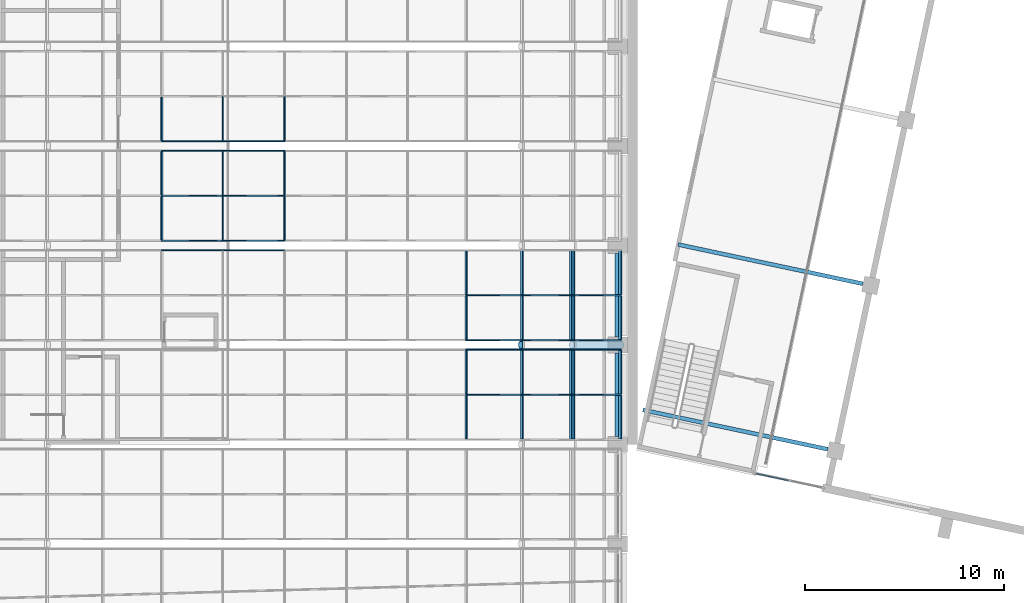
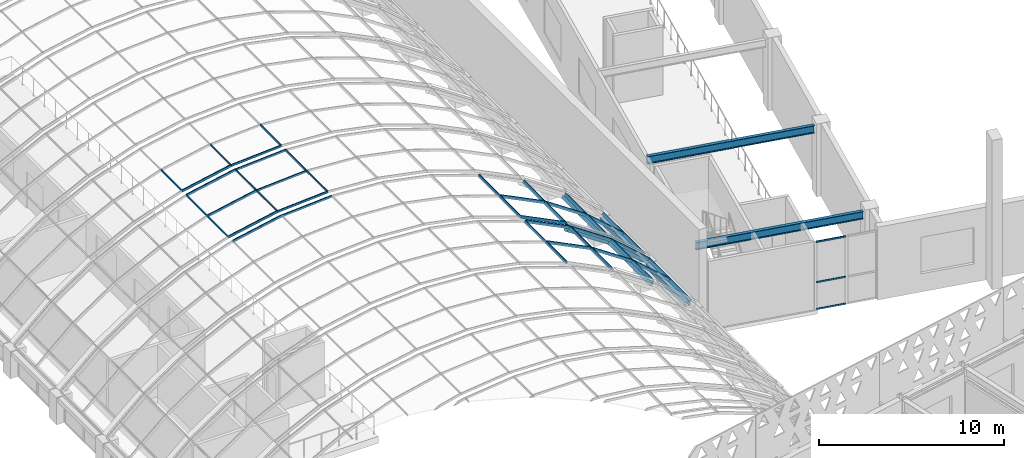
# One storey, part 45 of 182: 54 members, 4 beams, 5 elements without a shape of their own.
"""IFC4 building model written with IfcOpenShell, lengths in metres."""

from ifc_helpers import new_model, si_unit, direction, frame, origin, origin_2d, place, context, subcontext, project, spatial, rectangle, hollow_rectangle, hollow_circle, i_section, extrude, material, material_profile, profile_set, type_object, element, aggregate, save


model = new_model("IFC4")

# Units and contexts
model_context = context("Model", 3, precision=1e-05, world=origin(), true_north=direction((0.0, 1.0)))
body_context = subcontext(model_context, "Body", "Model", "MODEL_VIEW")
ifc_project = project(units=[si_unit("LENGTHUNIT", "METRE"), si_unit("AREAUNIT", "SQUARE_METRE"), si_unit("VOLUMEUNIT", "CUBIC_METRE"), si_unit("PLANEANGLEUNIT", "RADIAN"), si_unit("MASSUNIT", "GRAM", prefix="KILO")], contexts=[model_context])

# Site, building, storey
site_placement = place(None, origin())
site = spatial("IfcSite", under=ifc_project, at=site_placement, CompositionType="ELEMENT")
building_placement = place(site_placement, origin())
building = spatial("IfcBuilding", under=site, at=building_placement, Name="Okhra Congress Centre", CompositionType="ELEMENT")
storey_placement = place(building_placement, frame((0.0, 0.0, 7.199951171875)))
storey = spatial("IfcBuildingStorey", under=building, at=storey_placement, Name="L01", CompositionType="ELEMENT", Elevation=7.199951171875)

# Curtain wall, member
ifc_material_1 = material(Name="Aluminium frame with triple glazing", Category="aluminium")
curtain_wall_type_1 = type_object("IfcCurtainWallType", Name="Glazed vault bay curtain wall", PredefinedType="NOTDEFINED", material=ifc_material_1)
curtain_wall_1_placement = place(storey_placement, origin())
curtain_wall_1 = element("IfcCurtainWall", 1, at=curtain_wall_1_placement, inside=storey, type_object=curtain_wall_type_1, Name="Vault glazing bay 6", PredefinedType="NOTDEFINED")
ifc_material_2 = material(Name="Aluminium alloy 6063", Category="aluminium")
ifc_material_profile_1 = material_profile(ifc_material_2, rectangle(XDim=0.06005859375, YDim=0.139892578125, at=origin_2d()), Name="AL 60x140")
ifc_profile_set_1 = profile_set([ifc_material_profile_1], Name="Aluminium alloy 6063")
member_type_1 = type_object("IfcMemberType", Name="Aluminium mullion 60x140", PredefinedType="MULLION", material=ifc_profile_set_1)
member_1_placement = place(storey_placement, frame((169.1337890625, 105.766845703125, 8.7392578125), z_axis=(0.997826129775, 0.0, 0.065901553385), x_axis=(0.0, 1.0, 0.0)))
member_1 = element("IfcMember", 2, at=member_1_placement, type_object=member_type_1, Name="Vault mullion 6.3.6", PredefinedType="MULLION", context=body_context, shape_type="SweptSolid", body=[
    extrude(rectangle(XDim=0.06005859375, YDim=0.139892578125, at=origin_2d()), origin(), (0.0, 0.0, 1.0), 3.123046875),
])

# Curtain wall, members
curtain_wall_2_placement = place(storey_placement, origin())
curtain_wall_2 = element("IfcCurtainWall", 3, at=curtain_wall_2_placement, inside=storey, type_object=curtain_wall_type_1, Name="Vault glazing bay 7", PredefinedType="NOTDEFINED")
member_2_placement = place(storey_placement, frame((169.1337890625, 106.233154296875, 8.7392578125), z_axis=(0.997826129775, 0.0, 0.065901553385), x_axis=(0.0, 1.0, 0.0)))
member_2 = element("IfcMember", 4, at=member_2_placement, type_object=member_type_1, Name="Vault mullion 7.1.6", PredefinedType="MULLION", context=body_context, shape_type="SweptSolid", body=[
    extrude(rectangle(XDim=0.06005859375, YDim=0.139892578125, at=origin_2d()), origin(), (0.0, 0.0, 1.0), 3.123046875),
])
member_3_placement = place(storey_placement, frame((169.1337890625, 108.5, 8.7392578125), z_axis=(0.997826129775, 0.0, 0.065901553385), x_axis=(0.0, 1.0, 0.0)))
member_3 = element("IfcMember", 5, at=member_3_placement, type_object=member_type_1, Name="Vault mullion 7.2.6", PredefinedType="MULLION", context=body_context, shape_type="SweptSolid", body=[
    extrude(rectangle(XDim=0.06005859375, YDim=0.139892578125, at=origin_2d()), origin(), (0.0, 0.0, 1.0), 3.123046875),
])
member_4_placement = place(storey_placement, frame((169.1337890625, 110.766845703125, 8.7392578125), z_axis=(0.997826129775, 0.0, 0.065901553385), x_axis=(0.0, 1.0, 0.0)))
member_4 = element("IfcMember", 6, at=member_4_placement, type_object=member_type_1, Name="Vault mullion 7.3.6", PredefinedType="MULLION", context=body_context, shape_type="SweptSolid", body=[
    extrude(rectangle(XDim=0.06005859375, YDim=0.139892578125, at=origin_2d()), origin(), (0.0, 0.0, 1.0), 3.123046875),
])

# Curtain wall, member
curtain_wall_3_placement = place(storey_placement, origin())
curtain_wall_3 = element("IfcCurtainWall", 7, at=curtain_wall_3_placement, inside=storey, type_object=curtain_wall_type_1, Name="Vault glazing bay 8", PredefinedType="NOTDEFINED")
member_5_placement = place(storey_placement, frame((169.1337890625, 111.233154296875, 8.7392578125), z_axis=(0.997826129775, 0.0, 0.065901553385), x_axis=(0.0, 1.0, 0.0)))
member_5 = element("IfcMember", 8, at=member_5_placement, type_object=member_type_1, Name="Vault mullion 8.1.6", PredefinedType="MULLION", context=body_context, shape_type="SweptSolid", body=[
    extrude(rectangle(XDim=0.06005859375, YDim=0.139892578125, at=origin_2d()), origin(), (0.0, 0.0, 1.0), 3.123046875),
])

# Member
ifc_material_profile_2 = material_profile(ifc_material_2, rectangle(XDim=0.06005859375, YDim=0.159912109375, at=origin_2d()), Name="AL 60x160")
ifc_profile_set_2 = profile_set([ifc_material_profile_2], Name="Aluminium alloy 6063")
member_type_2 = type_object("IfcMemberType", Name="Aluminium mullion 60x160", PredefinedType="MULLION", material=ifc_profile_set_2)
member_6_placement = place(storey_placement, frame((166.069091796875, 105.766845703125, 8.134765625), z_axis=(0.980484387086, 0.0, 0.196596965087), x_axis=(0.0, 1.0, 0.0)))
member_6 = element("IfcMember", 9, at=member_6_placement, type_object=member_type_2, Name="Vault mullion 6.3.5", PredefinedType="MULLION", context=body_context, shape_type="SweptSolid", body=[
    extrude(rectangle(XDim=0.06005859375, YDim=0.159912109375, at=origin_2d()), origin(), (0.0, 0.0, 1.0), 3.12451171875),
])

member_7_placement = place(storey_placement, frame((166.069091796875, 106.233154296875, 8.134765625), z_axis=(0.980484387086, 0.0, 0.196596965087), x_axis=(0.0, 1.0, 0.0)))
member_7 = element("IfcMember", 10, at=member_7_placement, type_object=member_type_2, Name="Vault mullion 7.1.5", PredefinedType="MULLION", context=body_context, shape_type="SweptSolid", body=[
    extrude(rectangle(XDim=0.06005859375, YDim=0.159912109375, at=origin_2d()), origin(), (0.0, 0.0, 1.0), 3.12451171875),
])

member_8_placement = place(storey_placement, frame((166.069091796875, 108.5, 8.134765625), z_axis=(0.980484387086, 0.0, 0.196596965087), x_axis=(0.0, 1.0, 0.0)))
member_8 = element("IfcMember", 11, at=member_8_placement, type_object=member_type_2, Name="Vault mullion 7.2.5", PredefinedType="MULLION", context=body_context, shape_type="SweptSolid", body=[
    extrude(rectangle(XDim=0.06005859375, YDim=0.159912109375, at=origin_2d()), origin(), (0.0, 0.0, 1.0), 3.12451171875),
])

member_9_placement = place(storey_placement, frame((166.069091796875, 110.766845703125, 8.134765625), z_axis=(0.980484387086, 0.0, 0.196596965087), x_axis=(0.0, 1.0, 0.0)))
member_9 = element("IfcMember", 12, at=member_9_placement, type_object=member_type_2, Name="Vault mullion 7.3.5", PredefinedType="MULLION", context=body_context, shape_type="SweptSolid", body=[
    extrude(rectangle(XDim=0.06005859375, YDim=0.159912109375, at=origin_2d()), origin(), (0.0, 0.0, 1.0), 3.12451171875),
])

member_10_placement = place(storey_placement, frame((166.069091796875, 111.233154296875, 8.134765625), z_axis=(0.980484387086, 0.0, 0.196596965087), x_axis=(0.0, 1.0, 0.0)))
member_10 = element("IfcMember", 13, at=member_10_placement, type_object=member_type_2, Name="Vault mullion 8.1.5", PredefinedType="MULLION", context=body_context, shape_type="SweptSolid", body=[
    extrude(rectangle(XDim=0.06005859375, YDim=0.159912109375, at=origin_2d()), origin(), (0.0, 0.0, 1.0), 3.12451171875),
])

# Curtain wall, members
curtain_wall_4_placement = place(storey_placement, origin())
curtain_wall_4 = element("IfcCurtainWall", 14, at=curtain_wall_4_placement, inside=storey, type_object=curtain_wall_type_1, Name="Vault glazing bay 5", PredefinedType="NOTDEFINED")
ifc_material_profile_3 = material_profile(ifc_material_2, rectangle(XDim=0.06005859375, YDim=0.179931640625, at=origin_2d()), Name="AL 60x180")
ifc_profile_set_3 = profile_set([ifc_material_profile_3], Name="Aluminium alloy 6063")
member_type_3 = type_object("IfcMemberType", Name="Aluminium mullion 60x180", PredefinedType="MULLION", material=ifc_profile_set_3)
member_11_placement = place(storey_placement, frame((181.390625, 98.5, 7.1318359375), z_axis=(0.895253656313, 0.0, -0.445556832354), x_axis=(0.0, 1.0, 0.0)))
member_11 = element("IfcMember", 15, at=member_11_placement, type_object=member_type_3, Name="Vault mullion 5.2.10", PredefinedType="MULLION", context=body_context, shape_type="SweptSolid", body=[
    extrude(rectangle(XDim=0.06005859375, YDim=0.179931640625, at=origin_2d()), origin(), (0.0, 0.0, 1.0), 3.12548828125),
])
member_12_placement = place(storey_placement, frame((184.188720703125, 98.5, 5.7392578125), z_axis=(0.828827846338, 0.0, -0.559503709671), x_axis=(0.0, 1.0, 0.0)))
member_12 = element("IfcMember", 16, at=member_12_placement, type_object=member_type_3, Name="Vault mullion 5.2.11", PredefinedType="MULLION", context=body_context, shape_type="SweptSolid", body=[
    extrude(rectangle(XDim=0.06005859375, YDim=0.179931640625, at=origin_2d()), origin(), (0.0, 0.0, 1.0), 3.12548828125),
])
member_13_placement = place(storey_placement, frame((186.779296875, 98.5, 3.990478515625), z_axis=(0.748025229923, 0.0, -0.663670291183), x_axis=(0.0, 1.0, 0.0)))
member_13 = element("IfcMember", 17, at=member_13_placement, type_object=member_type_3, Name="Vault mullion 5.2.12", PredefinedType="MULLION", context=body_context, shape_type="SweptSolid", body=[
    extrude(rectangle(XDim=0.06005859375, YDim=0.179931640625, at=origin_2d()), origin(), (0.0, 0.0, 1.0), 3.125732421875),
])
member_14_placement = place(storey_placement, frame((181.390625, 100.766845703125, 7.1318359375), z_axis=(0.895253656313, 0.0, -0.445556832354), x_axis=(0.0, 1.0, 0.0)))
member_14 = element("IfcMember", 18, at=member_14_placement, type_object=member_type_3, Name="Vault mullion 5.3.10", PredefinedType="MULLION", context=body_context, shape_type="SweptSolid", body=[
    extrude(rectangle(XDim=0.06005859375, YDim=0.179931640625, at=origin_2d()), origin(), (0.0, 0.0, 1.0), 3.12548828125),
])
member_15_placement = place(storey_placement, frame((184.188720703125, 100.766845703125, 5.7392578125), z_axis=(0.828827846338, 0.0, -0.559503709671), x_axis=(0.0, 1.0, 0.0)))
member_15 = element("IfcMember", 19, at=member_15_placement, type_object=member_type_3, Name="Vault mullion 5.3.11", PredefinedType="MULLION", context=body_context, shape_type="SweptSolid", body=[
    extrude(rectangle(XDim=0.06005859375, YDim=0.179931640625, at=origin_2d()), origin(), (0.0, 0.0, 1.0), 3.12548828125),
])
member_16_placement = place(storey_placement, frame((186.779296875, 100.766845703125, 3.990478515625), z_axis=(0.748025229923, 0.0, -0.663670291183), x_axis=(0.0, 1.0, 0.0)))
member_16 = element("IfcMember", 20, at=member_16_placement, type_object=member_type_3, Name="Vault mullion 5.3.12", PredefinedType="MULLION", context=body_context, shape_type="SweptSolid", body=[
    extrude(rectangle(XDim=0.06005859375, YDim=0.179931640625, at=origin_2d()), origin(), (0.0, 0.0, 1.0), 3.125732421875),
])

# Member
member_17_placement = place(storey_placement, frame((181.390625, 101.233154296875, 7.1318359375), z_axis=(0.895253656313, 0.0, -0.445556832354), x_axis=(0.0, 1.0, 0.0)))
member_17 = element("IfcMember", 21, at=member_17_placement, type_object=member_type_3, Name="Vault mullion 6.1.10", PredefinedType="MULLION", context=body_context, shape_type="SweptSolid", body=[
    extrude(rectangle(XDim=0.06005859375, YDim=0.179931640625, at=origin_2d()), origin(), (0.0, 0.0, 1.0), 3.12548828125),
])

member_18_placement = place(storey_placement, frame((184.188720703125, 101.233154296875, 5.7392578125), z_axis=(0.828827846338, 0.0, -0.559503709671), x_axis=(0.0, 1.0, 0.0)))
member_18 = element("IfcMember", 22, at=member_18_placement, type_object=member_type_3, Name="Vault mullion 6.1.11", PredefinedType="MULLION", context=body_context, shape_type="SweptSolid", body=[
    extrude(rectangle(XDim=0.06005859375, YDim=0.179931640625, at=origin_2d()), origin(), (0.0, 0.0, 1.0), 3.12548828125),
])

member_19_placement = place(storey_placement, frame((186.779296875, 101.233154296875, 3.990478515625), z_axis=(0.748025229923, 0.0, -0.663670291183), x_axis=(0.0, 1.0, 0.0)))
member_19 = element("IfcMember", 23, at=member_19_placement, type_object=member_type_3, Name="Vault mullion 6.1.12", PredefinedType="MULLION", context=body_context, shape_type="SweptSolid", body=[
    extrude(rectangle(XDim=0.06005859375, YDim=0.179931640625, at=origin_2d()), origin(), (0.0, 0.0, 1.0), 3.125732421875),
])

member_20_placement = place(storey_placement, frame((181.390625, 103.5, 7.1318359375), z_axis=(0.895253656313, 0.0, -0.445556832354), x_axis=(0.0, 1.0, 0.0)))
member_20 = element("IfcMember", 24, at=member_20_placement, type_object=member_type_3, Name="Vault mullion 6.2.10", PredefinedType="MULLION", context=body_context, shape_type="SweptSolid", body=[
    extrude(rectangle(XDim=0.06005859375, YDim=0.179931640625, at=origin_2d()), origin(), (0.0, 0.0, 1.0), 3.12548828125),
])

member_21_placement = place(storey_placement, frame((184.188720703125, 103.5, 5.7392578125), z_axis=(0.828827846338, 0.0, -0.559503709671), x_axis=(0.0, 1.0, 0.0)))
member_21 = element("IfcMember", 25, at=member_21_placement, type_object=member_type_3, Name="Vault mullion 6.2.11", PredefinedType="MULLION", context=body_context, shape_type="SweptSolid", body=[
    extrude(rectangle(XDim=0.06005859375, YDim=0.179931640625, at=origin_2d()), origin(), (0.0, 0.0, 1.0), 3.12548828125),
])

member_22_placement = place(storey_placement, frame((186.779296875, 103.5, 3.990478515625), z_axis=(0.748025229923, 0.0, -0.663670291183), x_axis=(0.0, 1.0, 0.0)))
member_22 = element("IfcMember", 26, at=member_22_placement, type_object=member_type_3, Name="Vault mullion 6.2.12", PredefinedType="MULLION", context=body_context, shape_type="SweptSolid", body=[
    extrude(rectangle(XDim=0.06005859375, YDim=0.179931640625, at=origin_2d()), origin(), (0.0, 0.0, 1.0), 3.125732421875),
])

ifc_material_profile_4 = material_profile(ifc_material_2, rectangle(XDim=0.06005859375, YDim=0.139892578125, at=origin_2d()), Name="AL 60x140 transom")
ifc_profile_set_4 = profile_set([ifc_material_profile_4], Name="Aluminium alloy 6063")
member_type_4 = type_object("IfcMemberType", Name="Aluminium transom 60x140", PredefinedType="USERDEFINED", material=ifc_profile_set_4)
member_23_placement = place(storey_placement, frame((169.1337890625, 106.26318359375, 8.7392578125), z_axis=(0.0, 1.0, 0.0), x_axis=(-0.991307202734, 0.0, -0.131567586459)))
member_23 = element("IfcMember", 27, at=member_23_placement, type_object=member_type_4, Name="Vault transom 7.1.6", ObjectType="TRANSOM", PredefinedType="USERDEFINED", context=body_context, shape_type="SweptSolid", body=[
    extrude(rectangle(XDim=0.06005859375, YDim=0.139892578125, at=origin_2d()), origin(), (0.0, 0.0, 1.0), 2.206787109375),
])

member_24_placement = place(storey_placement, frame((172.25, 106.26318359375, 8.945068359375), z_axis=(0.0, 1.0, 0.0), x_axis=(-1.0, 0.0, 0.0)))
member_24 = element("IfcMember", 28, at=member_24_placement, type_object=member_type_4, Name="Vault transom 7.1.7", ObjectType="TRANSOM", PredefinedType="USERDEFINED", context=body_context, shape_type="SweptSolid", body=[
    extrude(rectangle(XDim=0.06005859375, YDim=0.139892578125, at=origin_2d()), origin(), (0.0, 0.0, 1.0), 2.206787109375),
])

member_25_placement = place(storey_placement, frame((169.1337890625, 108.530029296875, 8.7392578125), z_axis=(0.0, 1.0, 0.0), x_axis=(-0.991307202734, 0.0, -0.131567586459)))
member_25 = element("IfcMember", 29, at=member_25_placement, type_object=member_type_4, Name="Vault transom 7.2.6", ObjectType="TRANSOM", PredefinedType="USERDEFINED", context=body_context, shape_type="SweptSolid", body=[
    extrude(rectangle(XDim=0.06005859375, YDim=0.139892578125, at=origin_2d()), origin(), (0.0, 0.0, 1.0), 2.206787109375),
])

member_26_placement = place(storey_placement, frame((172.25, 108.530029296875, 8.945068359375), z_axis=(0.0, 1.0, 0.0), x_axis=(-1.0, 0.0, 0.0)))
member_26 = element("IfcMember", 30, at=member_26_placement, type_object=member_type_4, Name="Vault transom 7.2.7", ObjectType="TRANSOM", PredefinedType="USERDEFINED", context=body_context, shape_type="SweptSolid", body=[
    extrude(rectangle(XDim=0.06005859375, YDim=0.139892578125, at=origin_2d()), origin(), (0.0, 0.0, 1.0), 2.206787109375),
])

member_27_placement = place(storey_placement, frame((169.1337890625, 111.26318359375, 8.7392578125), z_axis=(0.0, 1.0, 0.0), x_axis=(-0.991307202734, 0.0, -0.131567586459)))
member_27 = element("IfcMember", 31, at=member_27_placement, type_object=member_type_4, Name="Vault transom 8.1.6", ObjectType="TRANSOM", PredefinedType="USERDEFINED", context=body_context, shape_type="SweptSolid", body=[
    extrude(rectangle(XDim=0.06005859375, YDim=0.139892578125, at=origin_2d()), origin(), (0.0, 0.0, 1.0), 2.206787109375),
])

member_28_placement = place(storey_placement, frame((172.25, 111.26318359375, 8.945068359375), z_axis=(0.0, 1.0, 0.0), x_axis=(-1.0, 0.0, 0.0)))
member_28 = element("IfcMember", 32, at=member_28_placement, type_object=member_type_4, Name="Vault transom 8.1.7", ObjectType="TRANSOM", PredefinedType="USERDEFINED", context=body_context, shape_type="SweptSolid", body=[
    extrude(rectangle(XDim=0.06005859375, YDim=0.139892578125, at=origin_2d()), origin(), (0.0, 0.0, 1.0), 2.206787109375),
])

ifc_material_profile_5 = material_profile(ifc_material_2, rectangle(XDim=0.06005859375, YDim=0.159912109375, at=origin_2d()), Name="AL 60x160 transom")
ifc_profile_set_5 = profile_set([ifc_material_profile_5], Name="Aluminium alloy 6063")
member_type_5 = type_object("IfcMemberType", Name="Aluminium transom 60x160", PredefinedType="USERDEFINED", material=ifc_profile_set_5)
member_29_placement = place(storey_placement, frame((181.38671875, 96.26318359375, 7.12255859375), z_axis=(0.0, 1.0, 0.0), x_axis=(-0.922668973833, 0.0, 0.38559300399)))
member_29 = element("IfcMember", 33, at=member_29_placement, type_object=member_type_5, Name="Vault transom 5.1.10", ObjectType="TRANSOM", PredefinedType="USERDEFINED", context=body_context, shape_type="SweptSolid", body=[
    extrude(rectangle(XDim=0.06005859375, YDim=0.159912109375, at=origin_2d()), origin(), (0.0, 0.0, 1.0), 2.206787109375),
])

member_30_placement = place(storey_placement, frame((181.38671875, 98.530029296875, 7.12255859375), z_axis=(0.0, 1.0, 0.0), x_axis=(-0.922668973833, 0.0, 0.38559300399)))
member_30 = element("IfcMember", 34, at=member_30_placement, type_object=member_type_5, Name="Vault transom 5.2.10", ObjectType="TRANSOM", PredefinedType="USERDEFINED", context=body_context, shape_type="SweptSolid", body=[
    extrude(rectangle(XDim=0.06005859375, YDim=0.159912109375, at=origin_2d()), origin(), (0.0, 0.0, 1.0), 2.206787109375),
])

member_31_placement = place(storey_placement, frame((181.38671875, 101.26318359375, 7.12255859375), z_axis=(0.0, 1.0, 0.0), x_axis=(-0.922668973833, 0.0, 0.38559300399)))
member_31 = element("IfcMember", 35, at=member_31_placement, type_object=member_type_5, Name="Vault transom 6.1.10", ObjectType="TRANSOM", PredefinedType="USERDEFINED", context=body_context, shape_type="SweptSolid", body=[
    extrude(rectangle(XDim=0.06005859375, YDim=0.159912109375, at=origin_2d()), origin(), (0.0, 0.0, 1.0), 2.206787109375),
])

member_32_placement = place(storey_placement, frame((181.38671875, 103.530029296875, 7.12255859375), z_axis=(0.0, 1.0, 0.0), x_axis=(-0.922668973833, 0.0, 0.38559300399)))
member_32 = element("IfcMember", 36, at=member_32_placement, type_object=member_type_5, Name="Vault transom 6.2.10", ObjectType="TRANSOM", PredefinedType="USERDEFINED", context=body_context, shape_type="SweptSolid", body=[
    extrude(rectangle(XDim=0.06005859375, YDim=0.159912109375, at=origin_2d()), origin(), (0.0, 0.0, 1.0), 2.206787109375),
])

member_33_placement = place(storey_placement, frame((166.069091796875, 106.26318359375, 8.134765625), z_axis=(0.0, 1.0, 0.0), x_axis=(-0.965379940391, 0.0, -0.260847792191)))
member_33 = element("IfcMember", 37, at=member_33_placement, type_object=member_type_5, Name="Vault transom 7.1.5", ObjectType="TRANSOM", PredefinedType="USERDEFINED", context=body_context, shape_type="SweptSolid", body=[
    extrude(rectangle(XDim=0.06005859375, YDim=0.159912109375, at=origin_2d()), origin(), (0.0, 0.0, 1.0), 2.206787109375),
])

member_34_placement = place(storey_placement, frame((166.069091796875, 108.530029296875, 8.134765625), z_axis=(0.0, 1.0, 0.0), x_axis=(-0.965379940391, 0.0, -0.260847792191)))
member_34 = element("IfcMember", 38, at=member_34_placement, type_object=member_type_5, Name="Vault transom 7.2.5", ObjectType="TRANSOM", PredefinedType="USERDEFINED", context=body_context, shape_type="SweptSolid", body=[
    extrude(rectangle(XDim=0.06005859375, YDim=0.159912109375, at=origin_2d()), origin(), (0.0, 0.0, 1.0), 2.206787109375),
])

aggregate(curtain_wall_2, [member_7, member_2, member_8, member_3, member_9, member_4, member_33, member_23, member_24, member_34, member_25, member_26])

member_35_placement = place(storey_placement, frame((166.069091796875, 111.26318359375, 8.134765625), z_axis=(0.0, 1.0, 0.0), x_axis=(-0.965379940391, 0.0, -0.260847792191)))
member_35 = element("IfcMember", 39, at=member_35_placement, type_object=member_type_5, Name="Vault transom 8.1.5", ObjectType="TRANSOM", PredefinedType="USERDEFINED", context=body_context, shape_type="SweptSolid", body=[
    extrude(rectangle(XDim=0.06005859375, YDim=0.159912109375, at=origin_2d()), origin(), (0.0, 0.0, 1.0), 2.206787109375),
])

aggregate(curtain_wall_3, [member_10, member_5, member_35, member_27, member_28])

ifc_material_profile_6 = material_profile(ifc_material_2, rectangle(XDim=0.06005859375, YDim=0.179931640625, at=origin_2d()), Name="AL 60x180 transom")
ifc_profile_set_6 = profile_set([ifc_material_profile_6], Name="Aluminium alloy 6063")
member_type_6 = type_object("IfcMemberType", Name="Aluminium transom 60x180", PredefinedType="USERDEFINED", material=ifc_profile_set_6)
member_36_placement = place(storey_placement, frame((184.188720703125, 96.26318359375, 5.7392578125), z_axis=(0.0, 1.0, 0.0), x_axis=(-0.86391685861, 0.0, 0.503634452167)))
member_36 = element("IfcMember", 40, at=member_36_placement, type_object=member_type_6, Name="Vault transom 5.1.11", ObjectType="TRANSOM", PredefinedType="USERDEFINED", context=body_context, shape_type="SweptSolid", body=[
    extrude(rectangle(XDim=0.06005859375, YDim=0.179931640625, at=origin_2d()), origin(), (0.0, 0.0, 1.0), 2.206787109375),
])

member_37_placement = place(storey_placement, frame((186.779296875, 96.26318359375, 3.990478515625), z_axis=(0.0, 1.0, 0.0), x_axis=(-0.790145035185, 0.0, 0.612919915954)))
member_37 = element("IfcMember", 41, at=member_37_placement, type_object=member_type_6, Name="Vault transom 5.1.12", ObjectType="TRANSOM", PredefinedType="USERDEFINED", context=body_context, shape_type="SweptSolid", body=[
    extrude(rectangle(XDim=0.06005859375, YDim=0.179931640625, at=origin_2d()), origin(), (0.0, 0.0, 1.0), 2.206787109375),
])

member_38_placement = place(storey_placement, frame((189.117431640625, 96.26318359375, 1.916015625), z_axis=(0.0, 1.0, 0.0), x_axis=(-0.702636070549, 0.0, 0.711549402616)))
member_38 = element("IfcMember", 42, at=member_38_placement, type_object=member_type_6, Name="Vault transom 5.1.13", ObjectType="TRANSOM", PredefinedType="USERDEFINED", context=body_context, shape_type="SweptSolid", body=[
    extrude(rectangle(XDim=0.06005859375, YDim=0.179931640625, at=origin_2d()), origin(), (0.0, 0.0, 1.0), 2.206787109375),
])

member_39_placement = place(storey_placement, frame((184.188720703125, 98.530029296875, 5.7392578125), z_axis=(0.0, 1.0, 0.0), x_axis=(-0.86391685861, 0.0, 0.503634452167)))
member_39 = element("IfcMember", 43, at=member_39_placement, type_object=member_type_6, Name="Vault transom 5.2.11", ObjectType="TRANSOM", PredefinedType="USERDEFINED", context=body_context, shape_type="SweptSolid", body=[
    extrude(rectangle(XDim=0.06005859375, YDim=0.179931640625, at=origin_2d()), origin(), (0.0, 0.0, 1.0), 2.206787109375),
])

member_40_placement = place(storey_placement, frame((186.779296875, 98.530029296875, 3.990478515625), z_axis=(0.0, 1.0, 0.0), x_axis=(-0.790145035185, 0.0, 0.612919915954)))
member_40 = element("IfcMember", 44, at=member_40_placement, type_object=member_type_6, Name="Vault transom 5.2.12", ObjectType="TRANSOM", PredefinedType="USERDEFINED", context=body_context, shape_type="SweptSolid", body=[
    extrude(rectangle(XDim=0.06005859375, YDim=0.179931640625, at=origin_2d()), origin(), (0.0, 0.0, 1.0), 2.206787109375),
])

member_41_placement = place(storey_placement, frame((189.117431640625, 98.530029296875, 1.916015625), z_axis=(0.0, 1.0, 0.0), x_axis=(-0.702636070549, 0.0, 0.711549402616)))
member_41 = element("IfcMember", 45, at=member_41_placement, type_object=member_type_6, Name="Vault transom 5.2.13", ObjectType="TRANSOM", PredefinedType="USERDEFINED", context=body_context, shape_type="SweptSolid", body=[
    extrude(rectangle(XDim=0.06005859375, YDim=0.179931640625, at=origin_2d()), origin(), (0.0, 0.0, 1.0), 2.206787109375),
])

aggregate(curtain_wall_4, [member_11, member_12, member_13, member_14, member_15, member_16, member_29, member_36, member_37, member_38, member_30, member_39, member_40, member_41])

member_42_placement = place(storey_placement, frame((184.188720703125, 101.26318359375, 5.7392578125), z_axis=(0.0, 1.0, 0.0), x_axis=(-0.86391685861, 0.0, 0.503634452167)))
member_42 = element("IfcMember", 46, at=member_42_placement, type_object=member_type_6, Name="Vault transom 6.1.11", ObjectType="TRANSOM", PredefinedType="USERDEFINED", context=body_context, shape_type="SweptSolid", body=[
    extrude(rectangle(XDim=0.06005859375, YDim=0.179931640625, at=origin_2d()), origin(), (0.0, 0.0, 1.0), 2.206787109375),
])

member_43_placement = place(storey_placement, frame((186.779296875, 101.26318359375, 3.990478515625), z_axis=(0.0, 1.0, 0.0), x_axis=(-0.790145035185, 0.0, 0.612919915954)))
member_43 = element("IfcMember", 47, at=member_43_placement, type_object=member_type_6, Name="Vault transom 6.1.12", ObjectType="TRANSOM", PredefinedType="USERDEFINED", context=body_context, shape_type="SweptSolid", body=[
    extrude(rectangle(XDim=0.06005859375, YDim=0.179931640625, at=origin_2d()), origin(), (0.0, 0.0, 1.0), 2.206787109375),
])

member_44_placement = place(storey_placement, frame((189.117431640625, 101.26318359375, 1.916015625), z_axis=(0.0, 1.0, 0.0), x_axis=(-0.702636070549, 0.0, 0.711549402616)))
member_44 = element("IfcMember", 48, at=member_44_placement, type_object=member_type_6, Name="Vault transom 6.1.13", ObjectType="TRANSOM", PredefinedType="USERDEFINED", context=body_context, shape_type="SweptSolid", body=[
    extrude(rectangle(XDim=0.06005859375, YDim=0.179931640625, at=origin_2d()), origin(), (0.0, 0.0, 1.0), 2.206787109375),
])

member_45_placement = place(storey_placement, frame((184.188720703125, 103.530029296875, 5.7392578125), z_axis=(0.0, 1.0, 0.0), x_axis=(-0.86391685861, 0.0, 0.503634452167)))
member_45 = element("IfcMember", 49, at=member_45_placement, type_object=member_type_6, Name="Vault transom 6.2.11", ObjectType="TRANSOM", PredefinedType="USERDEFINED", context=body_context, shape_type="SweptSolid", body=[
    extrude(rectangle(XDim=0.06005859375, YDim=0.179931640625, at=origin_2d()), origin(), (0.0, 0.0, 1.0), 2.206787109375),
])

member_46_placement = place(storey_placement, frame((186.779296875, 103.530029296875, 3.990478515625), z_axis=(0.0, 1.0, 0.0), x_axis=(-0.790145035185, 0.0, 0.612919915954)))
member_46 = element("IfcMember", 50, at=member_46_placement, type_object=member_type_6, Name="Vault transom 6.2.12", ObjectType="TRANSOM", PredefinedType="USERDEFINED", context=body_context, shape_type="SweptSolid", body=[
    extrude(rectangle(XDim=0.06005859375, YDim=0.179931640625, at=origin_2d()), origin(), (0.0, 0.0, 1.0), 2.206787109375),
])

member_47_placement = place(storey_placement, frame((189.117431640625, 103.530029296875, 1.916015625), z_axis=(0.0, 1.0, 0.0), x_axis=(-0.702636070549, 0.0, 0.711549402616)))
member_47 = element("IfcMember", 51, at=member_47_placement, type_object=member_type_6, Name="Vault transom 6.2.13", ObjectType="TRANSOM", PredefinedType="USERDEFINED", context=body_context, shape_type="SweptSolid", body=[
    extrude(rectangle(XDim=0.06005859375, YDim=0.179931640625, at=origin_2d()), origin(), (0.0, 0.0, 1.0), 2.206787109375),
])

aggregate(curtain_wall_1, [member_17, member_18, member_19, member_20, member_21, member_22, member_6, member_1, member_31, member_42, member_43, member_44, member_32, member_45, member_46, member_47])

# Curtain wall, members
ifc_material_3 = material(Name="Aluminium curtain wall, triple glazing", Category="aluminium")
curtain_wall_type_2 = type_object("IfcCurtainWallType", Name="Curtain wall 1775 module", PredefinedType="NOTDEFINED", material=ifc_material_3)
curtain_wall_5_placement = place(storey_placement, origin())
curtain_wall_5 = element("IfcCurtainWall", 52, at=curtain_wall_5_placement, inside=storey, type_object=curtain_wall_type_2, Name="Foyer south upper glazing", PredefinedType="NOTDEFINED")
ifc_material_4 = material(Name="Aluminium alloy EN AW-6063 T66", Category="aluminium")
ifc_material_profile_7 = material_profile(ifc_material_4, hollow_rectangle(XDim=0.06005859375, YDim=0.10009765625, WallThickness=0.00390625, at=origin_2d()), Name="RHS 60x100x4")
ifc_profile_set_7 = profile_set([ifc_material_profile_7], Name="Aluminium alloy EN AW-6063 T66")
member_type_7 = type_object("IfcMemberType", Name="Curtain wall transom 60x100", PredefinedType="USERDEFINED", material=ifc_profile_set_7)
member_48_placement = place(storey_placement, frame((195.934814453125, 94.533935546875, 0.030029296875), z_axis=(0.978146697532, -0.207915940003, 0.0), x_axis=(0.207915940003, 0.978146697532, 0.0)))
member_48 = element("IfcMember", 53, at=member_48_placement, type_object=member_type_7, Name="CW5 transom 1.1", ObjectType="TRANSOM", PredefinedType="USERDEFINED", context=body_context, shape_type="SweptSolid", body=[
    extrude(hollow_rectangle(XDim=0.06005859375, YDim=0.10009765625, WallThickness=0.00390625, at=origin_2d()), origin(), (0.0, 0.0, 1.0), 1.68505859375),
])
member_49_placement = place(storey_placement, frame((195.934814453125, 94.533935546875, 1.800048828125), z_axis=(0.978146697532, -0.207915940003, 0.0), x_axis=(0.207915940003, 0.978146697532, 0.0)))
member_49 = element("IfcMember", 54, at=member_49_placement, type_object=member_type_7, Name="CW5 transom 1.2", ObjectType="TRANSOM", PredefinedType="USERDEFINED", context=body_context, shape_type="SweptSolid", body=[
    extrude(hollow_rectangle(XDim=0.06005859375, YDim=0.10009765625, WallThickness=0.00390625, at=origin_2d()), origin(), (0.0, 0.0, 1.0), 1.68505859375),
])
member_50_placement = place(storey_placement, frame((195.934814453125, 94.533935546875, 4.449951171875), z_axis=(0.978146697532, -0.207915940003, 0.0), x_axis=(0.207915940003, 0.978146697532, 0.0)))
member_50 = element("IfcMember", 55, at=member_50_placement, type_object=member_type_7, Name="CW5 transom 1.3", ObjectType="TRANSOM", PredefinedType="USERDEFINED", context=body_context, shape_type="SweptSolid", body=[
    extrude(hollow_rectangle(XDim=0.06005859375, YDim=0.10009765625, WallThickness=0.00390625, at=origin_2d()), origin(), (0.0, 0.0, 1.0), 1.68505859375),
])
aggregate(curtain_wall_5, [member_48, member_49, member_50])

# Beams
ifc_material_5 = material(Name="Steel S355J2", Category="steel")
ifc_material_profile_8 = material_profile(ifc_material_5, hollow_rectangle(XDim=0.300048828125, YDim=0.300048828125, WallThickness=0.012451171875, at=origin_2d()), Name="RHS 300x300x12.5")
ifc_profile_set_8 = profile_set([ifc_material_profile_8], Name="Steel S355J2")
beam_type_1 = type_object("IfcBeamType", Name="Steel eaves beam RHS 300x300x12.5", PredefinedType="BEAM", material=ifc_profile_set_8)
for number, where, z_axis, x_axis, name in (
    (56, (189.0, 96.39990234375, 1.650146484375), (0.0, 1.0, 0.0), (-1.0, 0.0, 0.0), "Eaves beam E5"),
    (57, (189.0, 101.39990234375, 1.650146484375), (0.0, 1.0, 0.0), (-1.0, 0.0, 0.0), "Eaves beam E6"),
):
    element("IfcBeam", number, at=place(storey_placement, frame(where, z_axis=z_axis, x_axis=x_axis)), inside=storey, type_object=beam_type_1, Name=name, PredefinedType="BEAM", context=body_context, shape_type="SweptSolid", body=[
        extrude(hollow_rectangle(XDim=0.300048828125, YDim=0.300048828125, WallThickness=0.012451171875, at=origin_2d()), origin(), (0.0, 0.0, 1.0), 4.2001953125),
    ])
ifc_material_profile_9 = material_profile(ifc_material_5, i_section(OverallWidth=0.199951171875, OverallDepth=0.5, WebThickness=0.01025390625, FlangeThickness=0.01611328125, at=origin_2d()), Name="IPE 500")
ifc_profile_set_9 = profile_set([ifc_material_profile_9], Name="Steel S355J2")
beam_type_2 = type_object("IfcBeamType", Name="Steel foyer roof beam IPE 500", PredefinedType="BEAM", material=ifc_profile_set_9)
beam_1_placement = place(storey_placement, frame((190.26611328125, 97.732666015625, 4.25), z_axis=(0.978142976633, -0.207933444311, 0.0), x_axis=(0.207933444311, 0.978142976633, 0.0)))
element("IfcBeam", 58, at=beam_1_placement, inside=storey, type_object=beam_type_2, Name="Foyer roof beam 1", PredefinedType="BEAM", context=body_context, shape_type="SweptSolid", body=[
    extrude(i_section(OverallWidth=0.199951171875, OverallDepth=0.5, WebThickness=0.01025390625, FlangeThickness=0.01611328125, at=origin_2d()), origin(), (0.0, 0.0, 1.0), 9.499755859375),
])
beam_2_placement = place(storey_placement, frame((192.033203125, 106.046875, 4.25), z_axis=(0.978144087737, -0.207928217484, 0.0), x_axis=(0.207928217484, 0.978144087737, 0.0)))
element("IfcBeam", 59, at=beam_2_placement, inside=storey, type_object=beam_type_2, Name="Foyer roof beam 2", PredefinedType="BEAM", context=body_context, shape_type="SweptSolid", body=[
    extrude(i_section(OverallWidth=0.199951171875, OverallDepth=0.5, WebThickness=0.01025390625, FlangeThickness=0.01611328125, at=origin_2d()), origin(), (0.0, 0.0, 1.0), 9.5),
])

# Members
ifc_material_profile_10 = material_profile(ifc_material_5, hollow_rectangle(XDim=0.10009765625, YDim=0.199951171875, WallThickness=0.008056640625, at=origin_2d()), Name="RHS 200x100x8")
ifc_profile_set_10 = profile_set([ifc_material_profile_10], Name="Steel S355J2")
member_type_8 = type_object("IfcMemberType", Name="Steel purlin RHS 200x100x8", PredefinedType="PURLIN", material=ifc_profile_set_10)
for number, where, z_axis, x_axis, name in (
    (60, (186.662841796875, 96.203125, 3.84033203125), (0.0, 1.0, 0.0), (-0.790145035185, 0.0, 0.612919915954), "Vault purlin 5.11"),
    (61, (186.662841796875, 101.203125, 3.84033203125), (0.0, 1.0, 0.0), (-0.790145035185, 0.0, 0.612919915954), "Vault purlin 6.11"),
):
    element("IfcMember", number, at=place(storey_placement, frame(where, z_axis=z_axis, x_axis=x_axis)), inside=storey, type_object=member_type_8, Name=name, PredefinedType="PURLIN", context=body_context, shape_type="SweptSolid", body=[
        extrude(hollow_rectangle(XDim=0.10009765625, YDim=0.199951171875, WallThickness=0.008056640625, at=origin_2d()), origin(), (0.0, 0.0, 1.0), 4.59375),
    ])
ifc_material_profile_11 = material_profile(ifc_material_5, hollow_circle(Radius=0.203125, WallThickness=0.01611328125, at=origin_2d()), Name="CHS 406.4x16")
ifc_profile_set_11 = profile_set([ifc_material_profile_11], Name="Steel S355J2")
member_type_9 = type_object("IfcMemberType", Name="Tubular steel arch rib CHS 406x16", PredefinedType="USERDEFINED", material=ifc_profile_set_11)
member_51_placement = place(storey_placement, frame((184.116943359375, 101.0, 5.589111328125), z_axis=(0.82882567543, 0.0, -0.559506925558), x_axis=(0.0, 1.0, 0.0)))
element("IfcMember", 62, at=member_51_placement, inside=storey, type_object=member_type_9, Name="Arch rib 6.11", ObjectType="Arch rib", PredefinedType="USERDEFINED", context=body_context, shape_type="SweptSolid", body=[
    extrude(hollow_circle(Radius=0.203125, WallThickness=0.01611328125, at=origin_2d()), origin(), (0.0, 0.0, 1.0), 3.07666015625),
])
member_52_placement = place(storey_placement, frame((186.6884765625, 101.0, 3.85107421875), z_axis=(0.74799336374, 0.0, -0.663706205938), x_axis=(0.0, 1.0, 0.0)))
element("IfcMember", 63, at=member_52_placement, inside=storey, type_object=member_type_9, Name="Arch rib 6.12", ObjectType="Arch rib", PredefinedType="USERDEFINED", context=body_context, shape_type="SweptSolid", body=[
    extrude(hollow_circle(Radius=0.203125, WallThickness=0.01611328125, at=origin_2d()), origin(), (0.0, 0.0, 1.0), 3.3193359375),
])

save(model, "model.ifc")
